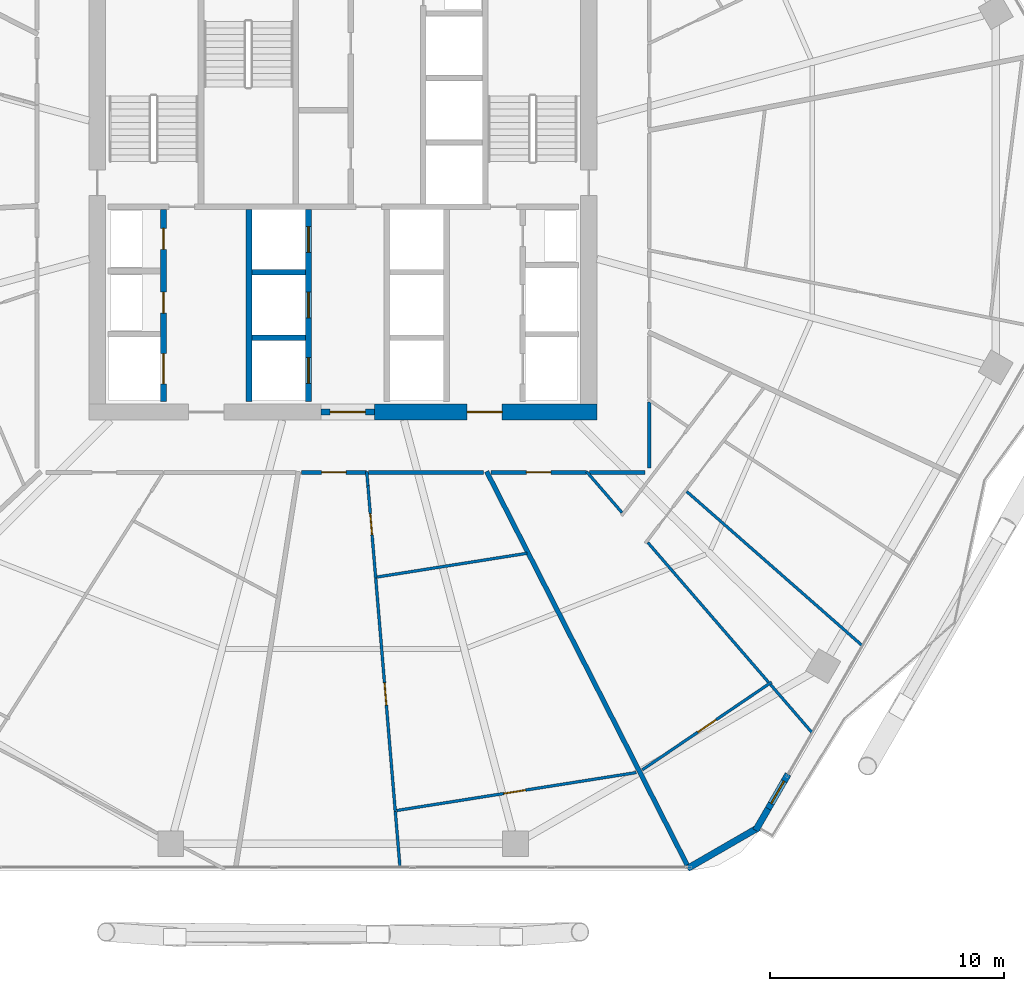
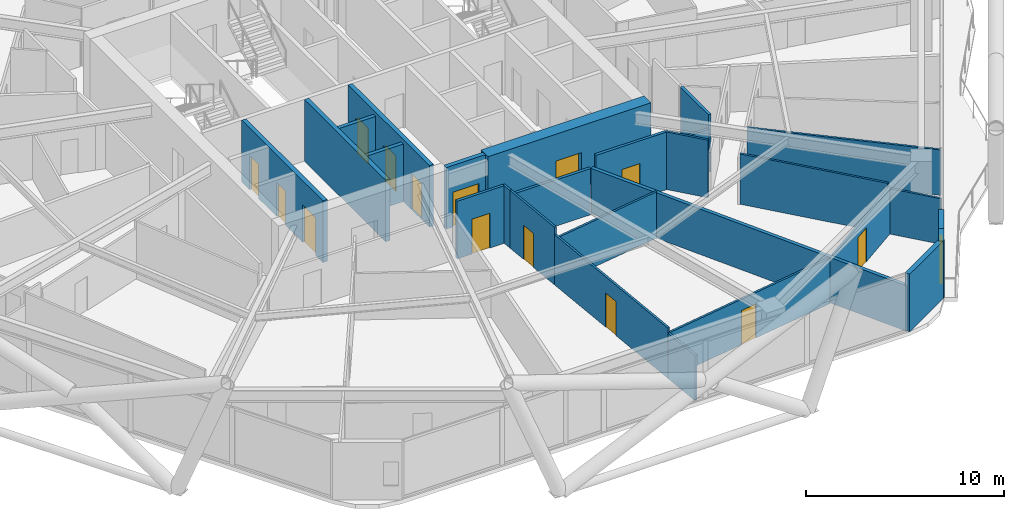
# One storey, part 28 of 34: 27 walls, 15 doors, 15 openings.
"""IFC4 building model written with IfcOpenShell, lengths in metres."""

from ifc_helpers import new_model, si_unit, direction, frame, frame_2d, origin, place, context, subcontext, project, spatial, rectangle, extrude, material, layer, layer_set, type_object, element, fill, save


model = new_model("IFC4")

# Units and contexts
model_context = context("Model", 3, precision=1e-05, world=origin(), true_north=direction((0.0, 1.0)))
body_context = subcontext(model_context, "Body", "Model", "MODEL_VIEW")
ifc_project = project(units=[si_unit("LENGTHUNIT", "METRE"), si_unit("AREAUNIT", "SQUARE_METRE"), si_unit("VOLUMEUNIT", "CUBIC_METRE"), si_unit("PLANEANGLEUNIT", "RADIAN"), si_unit("MASSUNIT", "GRAM", prefix="KILO")], contexts=[model_context])

# Site, building, storey
site_placement = place(None, origin())
site = spatial("IfcSite", under=ifc_project, at=site_placement, CompositionType="ELEMENT")
building_placement = place(site_placement, origin())
building = spatial("IfcBuilding", under=site, at=building_placement, Name="Zuhravey Tower", CompositionType="ELEMENT")
storey_placement = place(building_placement, frame((0.0, 0.0, 130.39990234375)))
storey = spatial("IfcBuildingStorey", under=building, at=storey_placement, Name="L32", CompositionType="ELEMENT", Elevation=130.39990234375)

# Wall, opening, door
ifc_material_1 = material(Name="Concrete C60/75", Category="concrete")
ifc_layer_1 = layer(ifc_material_1, 0.699951171875)
ifc_layer_set_1 = layer_set([ifc_layer_1], Name="Concrete C60/75")
wall_type_1 = type_object("IfcWallType", Name="Core Shear Wall 700", PredefinedType="SHEAR", material=ifc_layer_set_1)
wall_1_placement = place(storey_placement, frame((37.35009765625, 22.5, 0.0), z_axis=(0.0, 0.0, 1.0), x_axis=(1.0, 0.0, 0.0)))
wall_1 = element("IfcWall", 1, at=wall_1_placement, inside=storey, type_object=wall_type_1, Name="L32 South-East Core Shear Wall CW70", PredefinedType="SHEAR", context=body_context, shape_type="SweptSolid", body=[
    extrude(rectangle(XDim=9.5, YDim=0.699951171875, at=frame_2d((4.75, 0.0))), origin(), (0.0, 0.0, 1.0), 3.800048828125),
])
opening_1_placement = place(wall_1_placement, frame((3.949951171875, 0.0, 0.0)))
opening_1 = element("IfcOpeningElement", 2, at=opening_1_placement, cuts=wall_1, Name="Opening FFD1", PredefinedType="OPENING", context=body_context, shape_type="SweptSolid", body=[
    extrude(rectangle(XDim=1.5, YDim=2.14990234375, at=frame_2d((0.75, 1.074951171875))), frame((0.0, 0.362060546875, 0.0), z_axis=(0.0, -1.0, 0.0), x_axis=(1.0, 0.0, 0.0)), (0.0, 0.0, 1.0), 0.723876953125),
])
ifc_material_2 = material(Name="Galvanised fire-rated steel leaf", Category="steel")
door_type_1 = type_object("IfcDoorType", Name="Firefighting Lobby Double Door 1500x2150", OperationType="DOUBLE_DOOR_SINGLE_SWING", PredefinedType="DOOR", material=ifc_material_2)
door_1_placement = place(opening_1_placement, origin())
door_1 = element("IfcDoor", 3, at=door_1_placement, inside=storey, type_object=door_type_1, Name="L32 Firefighting Lobby East Door", OperationType="DOUBLE_DOOR_SINGLE_SWING", OverallHeight=2.14990234375, OverallWidth=1.5, PredefinedType="DOOR", context=body_context, shape_type="SweptSolid", body=[
    extrude(rectangle(XDim=1.5, YDim=2.14990234375, at=frame_2d((0.75, 1.074951171875))), frame((0.0, 0.02490234375, 0.0), z_axis=(0.0, -1.0, 0.0), x_axis=(1.0, 0.0, 0.0)), (0.0, 0.0, 1.0), 0.050048828125),
])
fill(opening_1, door_1)

ifc_material_3 = material(Name="Gypsum fire-rated stud partition")
ifc_layer_2 = layer(ifc_material_3, 0.159912109375)
ifc_layer_set_2 = layer_set([ifc_layer_2], Name="Gypsum fire-rated stud partition")
wall_type_2 = type_object("IfcWallType", Name="Corridor Fire Partition 160", PredefinedType="PARTITIONING", material=ifc_layer_set_2)
wall_2_placement = place(storey_placement, frame((34.21484375, 19.919921875, 0.0), z_axis=(0.0, 0.0, 1.0), x_axis=(1.0, 0.0, 0.0)))
wall_2 = element("IfcWall", 4, at=wall_2_placement, inside=storey, type_object=wall_type_2, Name="L32 IW16 Partition 058", PredefinedType="PARTITIONING", context=body_context, shape_type="SweptSolid", body=[
    extrude(rectangle(XDim=2.779541015625, YDim=0.159912109375, at=frame_2d((1.3896484375, 0.0))), origin(), (0.0, 0.0, 1.0), 3.550048828125),
])
opening_2_placement = place(wall_2_placement, frame((0.86474609375, 0.0, 0.0)))
opening_2 = element("IfcOpeningElement", 5, at=opening_2_placement, cuts=wall_2, Name="Opening APD1", PredefinedType="OPENING", context=body_context, shape_type="SweptSolid", body=[
    extrude(rectangle(XDim=1.050048828125, YDim=2.14990234375, at=frame_2d((0.52490234375, 1.074951171875))), frame((0.0, 0.092041015625, 0.0), z_axis=(0.0, -1.0, 0.0), x_axis=(1.0, 0.0, 0.0)), (0.0, 0.0, 1.0), 0.183837890625),
])
ifc_material_4 = material(Name="Solid-core oak fire-rated leaf")
door_type_2 = type_object("IfcDoorType", Name="Apartment Entrance Fire Door 1050x2150", OperationType="NOTDEFINED", PredefinedType="DOOR", material=ifc_material_4)
door_2_placement = place(opening_2_placement, frame((1.050048828125, 0.0, 0.0), z_axis=(0.0, 0.0, 1.0), x_axis=(-1.0, 0.0, 0.0)))
door_2 = element("IfcDoor", 6, at=door_2_placement, inside=storey, type_object=door_type_2, Name="L32 Door 058.1", OperationType="SINGLE_SWING_LEFT", OverallHeight=2.14990234375, OverallWidth=1.050048828125, PredefinedType="DOOR", context=body_context, shape_type="SweptSolid", body=[
    extrude(rectangle(XDim=1.050048828125, YDim=2.14990234375, at=frame_2d((0.52490234375, 1.074951171875))), frame((0.0, 0.02490234375, 0.0), z_axis=(0.0, -1.0, 0.0), x_axis=(1.0, 0.0, 0.0)), (0.0, 0.0, 1.0), 0.050048828125),
])
fill(opening_2, door_2)

wall_3_placement = place(storey_placement, frame((42.31103515625, 19.919921875, 0.0), z_axis=(0.0, 0.0, 1.0), x_axis=(1.0, 0.0, 0.0)))
wall_3 = element("IfcWall", 7, at=wall_3_placement, inside=storey, type_object=wall_type_2, Name="L32 IW16 Partition 062", PredefinedType="PARTITIONING", context=body_context, shape_type="SweptSolid", body=[
    extrude(rectangle(XDim=4.09716796875, YDim=0.159912109375, at=frame_2d((2.048583984375, 0.0))), origin(), (0.0, 0.0, 1.0), 3.550048828125),
])
opening_3_placement = place(wall_3_placement, frame((1.5234375, 0.0, 0.0)))
opening_3 = element("IfcOpeningElement", 8, at=opening_3_placement, cuts=wall_3, Name="Opening APD1", PredefinedType="OPENING", context=body_context, shape_type="SweptSolid", body=[
    extrude(rectangle(XDim=1.050048828125, YDim=2.14990234375, at=frame_2d((0.52490234375, 1.074951171875))), frame((0.0, 0.092041015625, 0.0), z_axis=(0.0, -1.0, 0.0), x_axis=(1.0, 0.0, 0.0)), (0.0, 0.0, 1.0), 0.183837890625),
])
door_3_placement = place(opening_3_placement, frame((1.050048828125, 0.0, 0.0), z_axis=(0.0, 0.0, 1.0), x_axis=(-1.0, 0.0, 0.0)))
door_3 = element("IfcDoor", 9, at=door_3_placement, inside=storey, type_object=door_type_2, Name="L32 Door 062.1", OperationType="SINGLE_SWING_RIGHT", OverallHeight=2.14990234375, OverallWidth=1.050048828125, PredefinedType="DOOR", context=body_context, shape_type="SweptSolid", body=[
    extrude(rectangle(XDim=1.050048828125, YDim=2.14990234375, at=frame_2d((0.52490234375, 1.074951171875))), frame((0.0, 0.02490234375, 0.0), z_axis=(0.0, -1.0, 0.0), x_axis=(1.0, 0.0, 0.0)), (0.0, 0.0, 1.0), 0.050048828125),
])
fill(opening_3, door_3)

# Walls
wall_4_placement = place(storey_placement, frame((37.08251953125, 19.919921875, 0.0), z_axis=(0.0, 0.0, 1.0), x_axis=(1.0, 0.0, 0.0)))
element("IfcWall", 10, at=wall_4_placement, inside=storey, type_object=wall_type_2, Name="L32 IW16 Partition 139", PredefinedType="PARTITIONING", context=body_context, shape_type="SweptSolid", body=[
    extrude(rectangle(XDim=4.91796875, YDim=0.159912109375, at=frame_2d((2.458984375, 0.0))), origin(), (0.0, 0.0, 1.0), 2.85009765625),
])
wall_5_placement = place(storey_placement, frame((49.080078125, 20.10009765625, 0.0), z_axis=(0.0, 0.0, 1.0), x_axis=(0.0, 1.0, 0.0)))
element("IfcWall", 11, at=wall_5_placement, inside=storey, type_object=wall_type_2, Name="L32 IW16 Partition 140", PredefinedType="PARTITIONING", context=body_context, shape_type="SweptSolid", body=[
    extrude(rectangle(XDim=2.828369140625, YDim=0.159912109375, at=frame_2d((1.4140625, 0.0))), origin(), (0.0, 0.0, 1.0), 3.550048828125),
])
wall_6_placement = place(storey_placement, frame((46.5244140625, 19.919921875, 0.0), z_axis=(0.0, 0.0, 1.0), x_axis=(1.0, 0.0, 0.0)))
element("IfcWall", 12, at=wall_6_placement, inside=storey, type_object=wall_type_2, Name="L32 IW16 Partition 141", PredefinedType="PARTITIONING", context=body_context, shape_type="SweptSolid", body=[
    extrude(rectangle(XDim=2.37548828125, YDim=0.159912109375, at=frame_2d((1.187744140625, 0.0))), origin(), (0.0, 0.0, 1.0), 2.85009765625),
])

# Wall, opening, door
ifc_material_5 = material(Name="Precast concrete C40/50", Category="concrete")
ifc_layer_3 = layer(ifc_material_5, 0.280029296875)
ifc_layer_set_3 = layer_set([ifc_layer_3], Name="Precast concrete C40/50")
wall_type_3 = type_object("IfcWallType", Name="Crown Architectural Wall 280", PredefinedType="SOLIDWALL", material=ifc_layer_set_3)
wall_7_placement = place(storey_placement, frame((55.01708984375, 7.021484375, 0.0), z_axis=(0.0, 0.0, 1.0), x_axis=(-0.499982180423, -0.866035691677, 0.0)))
wall_7 = element("IfcWall", 13, at=wall_7_placement, inside=storey, type_object=wall_type_3, Name="L32 Face 6 Facade Pier EW28-1", PredefinedType="SOLIDWALL", context=body_context, shape_type="SweptSolid", body=[
    extrude(rectangle(XDim=1.7900390625, YDim=0.280029296875, at=frame_2d((0.89501953125, 0.0))), origin(), (0.0, 0.0, 1.0), 3.550048828125),
])
opening_4_placement = place(wall_7_placement, frame((0.344970703125, 0.0, 0.0)))
opening_4 = element("IfcOpeningElement", 14, at=opening_4_placement, cuts=wall_7, Name="Opening BLD1", PredefinedType="OPENING", context=body_context, shape_type="SweptSolid", body=[
    extrude(rectangle(XDim=1.10009765625, YDim=2.199951171875, at=frame_2d((0.550048828125, 1.10009765625))), frame((0.0, 0.152099609375, 0.0), z_axis=(0.0, -1.0, 0.0), x_axis=(1.0, 0.0, 0.0)), (0.0, 0.0, 1.0), 0.303955078125),
])
ifc_material_6 = material(Name="Thermally broken aluminium and low-E glass", Category="aluminium")
door_type_3 = type_object("IfcDoorType", Name="Balcony & Sky-Tray Glazed Door 1100x2200", OperationType="NOTDEFINED", PredefinedType="DOOR", material=ifc_material_6)
door_4_placement = place(opening_4_placement, frame((1.10009765625, 0.0, 0.0), z_axis=(0.0, 0.0, 1.0), x_axis=(-1.0, 0.0, 0.0)))
door_4 = element("IfcDoor", 15, at=door_4_placement, inside=storey, type_object=door_type_3, Name="L32 Face 6 Wave Balcony Door", OperationType="SINGLE_SWING_LEFT", OverallHeight=2.199951171875, OverallWidth=1.10009765625, PredefinedType="DOOR", context=body_context, shape_type="SweptSolid", body=[
    extrude(rectangle(XDim=1.10009765625, YDim=2.199951171875, at=frame_2d((0.550048828125, 1.10009765625))), frame((0.0, 0.02490234375, 0.0), z_axis=(0.0, -1.0, 0.0), x_axis=(1.0, 0.0, 0.0)), (0.0, 0.0, 1.0), 0.050048828125),
])
fill(opening_4, door_4)

# Walls
wall_8_placement = place(storey_placement, frame((54.1669921875, 5.54931640625, 0.0), z_axis=(0.0, 0.0, 1.0), x_axis=(-0.499840838589, -0.866117276169, 0.0)))
element("IfcWall", 16, at=wall_8_placement, inside=storey, type_object=wall_type_3, Name="L32 Face 6 Closure Pier EW28", PredefinedType="SOLIDWALL", context=body_context, shape_type="SweptSolid", body=[
    extrude(rectangle(XDim=1.071044921875, YDim=0.280029296875, at=frame_2d((0.53564453125, 0.0))), origin(), (0.0, 0.0, 1.0), 3.550048828125),
])
wall_9_placement = place(storey_placement, frame((53.76123046875, 4.75146484375, 0.0), z_axis=(0.0, 0.0, 1.0), x_axis=(-0.866007452331, -0.500031091541, 0.0)))
element("IfcWall", 17, at=wall_9_placement, inside=storey, type_object=wall_type_3, Name="L32 Rounded Corner Closure Wall EW28-02", PredefinedType="SOLIDWALL", context=body_context, shape_type="SweptSolid", body=[
    extrude(rectangle(XDim=3.514892578125, YDim=0.280029296875, at=frame_2d((1.75732421875, 0.0))), origin(), (0.0, 0.0, 1.0), 3.550048828125),
])

# Wall, opening, door
ifc_material_7 = material(Name="Concrete C50/60", Category="concrete")
ifc_layer_4 = layer(ifc_material_7, 0.25)
ifc_layer_set_4 = layer_set([ifc_layer_4], Name="Concrete C50/60")
wall_type_4 = type_object("IfcWallType", Name="Firefighting Shaft & Stair Wall 250", PredefinedType="SOLIDWALL", material=ifc_layer_set_4)
wall_10_placement = place(storey_placement, frame((35.06005859375, 22.5, 0.0), z_axis=(0.0, 0.0, 1.0), x_axis=(1.0, 0.0, 0.0)))
wall_10 = element("IfcWall", 18, at=wall_10_placement, inside=storey, type_object=wall_type_4, Name="L32 FW25 Shaft Wall 001", PredefinedType="SOLIDWALL", context=body_context, shape_type="SweptSolid", body=[
    extrude(rectangle(XDim=2.280029296875, YDim=0.25, at=frame_2d((1.14013671875, 0.0))), origin(), (0.0, 0.0, 1.0), 3.800048828125),
])
opening_5_placement = place(wall_10_placement, frame((0.389892578125, 0.0, 0.0)))
opening_5 = element("IfcOpeningElement", 19, at=opening_5_placement, cuts=wall_10, Name="Opening FFD1", PredefinedType="OPENING", context=body_context, shape_type="SweptSolid", body=[
    extrude(rectangle(XDim=1.5, YDim=2.14990234375, at=frame_2d((0.75, 1.074951171875))), frame((0.0, 0.136962890625, 0.0), z_axis=(0.0, -1.0, 0.0), x_axis=(1.0, 0.0, 0.0)), (0.0, 0.0, 1.0), 0.27392578125),
])
door_5_placement = place(opening_5_placement, frame((1.5, 0.0, 0.0), z_axis=(0.0, 0.0, 1.0), x_axis=(-1.0, 0.0, 0.0)))
door_5 = element("IfcDoor", 20, at=door_5_placement, inside=storey, type_object=door_type_1, Name="L32 South Lift Lobby Exit Door", OperationType="DOUBLE_DOOR_SINGLE_SWING", OverallHeight=2.14990234375, OverallWidth=1.5, PredefinedType="DOOR", context=body_context, shape_type="SweptSolid", body=[
    extrude(rectangle(XDim=1.5, YDim=2.14990234375, at=frame_2d((0.75, 1.074951171875))), frame((0.0, 0.02490234375, 0.0), z_axis=(0.0, -1.0, 0.0), x_axis=(1.0, 0.0, 0.0)), (0.0, 0.0, 1.0), 0.050048828125),
])
fill(opening_5, door_5)

# Wall, openings, doors
wall_11_placement = place(storey_placement, frame((28.324951171875, 22.949951171875, 0.0), z_axis=(0.0, 0.0, 1.0), x_axis=(0.0, 1.0, 0.0)))
wall_11 = element("IfcWall", 21, at=wall_11_placement, inside=storey, type_object=wall_type_4, Name="L32 FW25 Shaft Wall 011", PredefinedType="SOLIDWALL", context=body_context, shape_type="SweptSolid", body=[
    extrude(rectangle(XDim=8.199951171875, YDim=0.25, at=frame_2d((4.10009765625, 0.0))), origin(), (0.0, 0.0, 1.0), 3.800048828125),
])
opening_6_placement = place(wall_11_placement, frame((0.75, 0.0, 0.0)))
opening_6 = element("IfcOpeningElement", 22, at=opening_6_placement, cuts=wall_11, Name="Opening LD2", PredefinedType="OPENING", context=body_context, shape_type="SweptSolid", body=[
    extrude(rectangle(XDim=1.300048828125, YDim=2.300048828125, at=frame_2d((0.64990234375, 1.14990234375))), frame((0.0, 0.136962890625, 0.0), z_axis=(0.0, -1.0, 0.0), x_axis=(1.0, 0.0, 0.0)), (0.0, 0.0, 1.0), 0.27392578125),
])
opening_7_placement = place(wall_11_placement, frame((3.780029296875, 0.0, 0.0)))
opening_7 = element("IfcOpeningElement", 23, at=opening_7_placement, cuts=wall_11, Name="Opening RSD1", PredefinedType="OPENING", context=body_context, shape_type="SweptSolid", body=[
    extrude(rectangle(XDim=0.89990234375, YDim=2.10009765625, at=frame_2d((0.449951171875, 1.050048828125))), frame((0.0, 0.136962890625, 0.0), z_axis=(0.0, -1.0, 0.0), x_axis=(1.0, 0.0, 0.0)), (0.0, 0.0, 1.0), 0.27392578125),
])
opening_8_placement = place(wall_11_placement, frame((6.5, 0.0, 0.0)))
opening_8 = element("IfcOpeningElement", 24, at=opening_8_placement, cuts=wall_11, Name="Opening RSD1", PredefinedType="OPENING", context=body_context, shape_type="SweptSolid", body=[
    extrude(rectangle(XDim=0.89990234375, YDim=2.10009765625, at=frame_2d((0.449951171875, 1.050048828125))), frame((0.0, 0.136962890625, 0.0), z_axis=(0.0, -1.0, 0.0), x_axis=(1.0, 0.0, 0.0)), (0.0, 0.0, 1.0), 0.27392578125),
])
ifc_material_8 = material(Name="Brushed stainless steel", Category="steel")
door_type_4 = type_object("IfcDoorType", Name="Freight & Stretcher Lift Sliding Door 1300x2300", OperationType="DOUBLE_DOOR_SLIDING", PredefinedType="DOOR", material=ifc_material_8)
door_6_placement = place(opening_6_placement, frame((1.300048828125, 0.0, 0.0), z_axis=(0.0, 0.0, 1.0), x_axis=(-1.0, 0.0, 0.0)))
door_6 = element("IfcDoor", 25, at=door_6_placement, inside=storey, type_object=door_type_4, Name="L32 Lift FF1 Landing Door", OperationType="DOUBLE_DOOR_SLIDING", OverallHeight=2.300048828125, OverallWidth=1.300048828125, PredefinedType="DOOR", context=body_context, shape_type="SweptSolid", body=[
    extrude(rectangle(XDim=1.300048828125, YDim=2.300048828125, at=frame_2d((0.64990234375, 1.14990234375))), frame((0.0, 0.02490234375, 0.0), z_axis=(0.0, -1.0, 0.0), x_axis=(1.0, 0.0, 0.0)), (0.0, 0.0, 1.0), 0.050048828125),
])
fill(opening_6, door_6)
ifc_material_9 = material(Name="Galvanised fire-rated steel access leaf", Category="steel")
door_type_5 = type_object("IfcDoorType", Name="Riser & Shaft Access Fire Door 900x2100", OperationType="NOTDEFINED", PredefinedType="DOOR", material=ifc_material_9)
door_7_placement = place(opening_7_placement, frame((0.89990234375, 0.0, 0.0), z_axis=(0.0, 0.0, 1.0), x_axis=(-1.0, 0.0, 0.0)))
door_7 = element("IfcDoor", 26, at=door_7_placement, inside=storey, type_object=door_type_5, Name="L32 Electrical Riser Door", OperationType="SINGLE_SWING_LEFT", OverallHeight=2.10009765625, OverallWidth=0.89990234375, PredefinedType="DOOR", context=body_context, shape_type="SweptSolid", body=[
    extrude(rectangle(XDim=0.89990234375, YDim=2.10009765625, at=frame_2d((0.449951171875, 1.050048828125))), frame((0.0, 0.02490234375, 0.0), z_axis=(0.0, -1.0, 0.0), x_axis=(1.0, 0.0, 0.0)), (0.0, 0.0, 1.0), 0.050048828125),
])
fill(opening_7, door_7)
door_8_placement = place(opening_8_placement, frame((0.89990234375, 0.0, 0.0), z_axis=(0.0, 0.0, 1.0), x_axis=(-1.0, 0.0, 0.0)))
door_8 = element("IfcDoor", 27, at=door_8_placement, inside=storey, type_object=door_type_5, Name="L32 Smoke Shaft Access Door", OperationType="SINGLE_SWING_RIGHT", OverallHeight=2.10009765625, OverallWidth=0.89990234375, PredefinedType="DOOR", context=body_context, shape_type="SweptSolid", body=[
    extrude(rectangle(XDim=0.89990234375, YDim=2.10009765625, at=frame_2d((0.449951171875, 1.050048828125))), frame((0.0, 0.02490234375, 0.0), z_axis=(0.0, -1.0, 0.0), x_axis=(1.0, 0.0, 0.0)), (0.0, 0.0, 1.0), 0.050048828125),
])
fill(opening_8, door_8)

# Wall
wall_12_placement = place(storey_placement, frame((31.97509765625, 22.949951171875, 0.0), z_axis=(0.0, 0.0, 1.0), x_axis=(0.0, 1.0, 0.0)))
element("IfcWall", 28, at=wall_12_placement, inside=storey, type_object=wall_type_4, Name="L32 FW25 Shaft Wall 012", PredefinedType="SOLIDWALL", context=body_context, shape_type="SweptSolid", body=[
    extrude(rectangle(XDim=8.199951171875, YDim=0.25, at=frame_2d((4.10009765625, 0.0))), origin(), (0.0, 0.0, 1.0), 3.800048828125),
])

# Wall, openings, doors
wall_13_placement = place(storey_placement, frame((34.52490234375, 22.949951171875, 0.0), z_axis=(0.0, 0.0, 1.0), x_axis=(0.0, 1.0, 0.0)))
wall_13 = element("IfcWall", 29, at=wall_13_placement, inside=storey, type_object=wall_type_4, Name="L32 FW25 Shaft Wall 013", PredefinedType="SOLIDWALL", context=body_context, shape_type="SweptSolid", body=[
    extrude(rectangle(XDim=8.199951171875, YDim=0.25, at=frame_2d((4.10009765625, 0.0))), origin(), (0.0, 0.0, 1.0), 3.800048828125),
])
opening_9_placement = place(wall_13_placement, frame((0.77490234375, 0.0, 0.0)))
opening_9 = element("IfcOpeningElement", 30, at=opening_9_placement, cuts=wall_13, Name="Opening LD1", PredefinedType="OPENING", context=body_context, shape_type="SweptSolid", body=[
    extrude(rectangle(XDim=1.10009765625, YDim=2.199951171875, at=frame_2d((0.550048828125, 1.10009765625))), frame((0.0, 0.136962890625, 0.0), z_axis=(0.0, -1.0, 0.0), x_axis=(1.0, 0.0, 0.0)), (0.0, 0.0, 1.0), 0.27392578125),
])
opening_10_placement = place(wall_13_placement, frame((3.574951171875, 0.0, 0.0)))
opening_10 = element("IfcOpeningElement", 31, at=opening_10_placement, cuts=wall_13, Name="Opening LD1", PredefinedType="OPENING", context=body_context, shape_type="SweptSolid", body=[
    extrude(rectangle(XDim=1.10009765625, YDim=2.199951171875, at=frame_2d((0.550048828125, 1.10009765625))), frame((0.0, 0.136962890625, 0.0), z_axis=(0.0, -1.0, 0.0), x_axis=(1.0, 0.0, 0.0)), (0.0, 0.0, 1.0), 0.27392578125),
])
opening_11_placement = place(wall_13_placement, frame((6.375, 0.0, 0.0)))
opening_11 = element("IfcOpeningElement", 32, at=opening_11_placement, cuts=wall_13, Name="Opening LD1", PredefinedType="OPENING", context=body_context, shape_type="SweptSolid", body=[
    extrude(rectangle(XDim=1.10009765625, YDim=2.199951171875, at=frame_2d((0.550048828125, 1.10009765625))), frame((0.0, 0.136962890625, 0.0), z_axis=(0.0, -1.0, 0.0), x_axis=(1.0, 0.0, 0.0)), (0.0, 0.0, 1.0), 0.27392578125),
])
door_type_6 = type_object("IfcDoorType", Name="Lift Landing Sliding Door 1100x2200", OperationType="DOUBLE_DOOR_SLIDING", PredefinedType="DOOR", material=ifc_material_8)
door_9_placement = place(opening_9_placement, frame((1.10009765625, 0.0, 0.0), z_axis=(0.0, 0.0, 1.0), x_axis=(-1.0, 0.0, 0.0)))
door_9 = element("IfcDoor", 33, at=door_9_placement, inside=storey, type_object=door_type_6, Name="L32 Lift PL1 Landing Door", OperationType="DOUBLE_DOOR_SLIDING", OverallHeight=2.199951171875, OverallWidth=1.10009765625, PredefinedType="DOOR", context=body_context, shape_type="SweptSolid", body=[
    extrude(rectangle(XDim=1.10009765625, YDim=2.199951171875, at=frame_2d((0.550048828125, 1.10009765625))), frame((0.0, 0.02490234375, 0.0), z_axis=(0.0, -1.0, 0.0), x_axis=(1.0, 0.0, 0.0)), (0.0, 0.0, 1.0), 0.050048828125),
])
fill(opening_9, door_9)
door_10_placement = place(opening_10_placement, frame((1.10009765625, 0.0, 0.0), z_axis=(0.0, 0.0, 1.0), x_axis=(-1.0, 0.0, 0.0)))
door_10 = element("IfcDoor", 34, at=door_10_placement, inside=storey, type_object=door_type_6, Name="L32 Lift PL2 Landing Door", OperationType="DOUBLE_DOOR_SLIDING", OverallHeight=2.199951171875, OverallWidth=1.10009765625, PredefinedType="DOOR", context=body_context, shape_type="SweptSolid", body=[
    extrude(rectangle(XDim=1.10009765625, YDim=2.199951171875, at=frame_2d((0.550048828125, 1.10009765625))), frame((0.0, 0.02490234375, 0.0), z_axis=(0.0, -1.0, 0.0), x_axis=(1.0, 0.0, 0.0)), (0.0, 0.0, 1.0), 0.050048828125),
])
fill(opening_10, door_10)
door_11_placement = place(opening_11_placement, frame((1.10009765625, 0.0, 0.0), z_axis=(0.0, 0.0, 1.0), x_axis=(-1.0, 0.0, 0.0)))
door_11 = element("IfcDoor", 35, at=door_11_placement, inside=storey, type_object=door_type_6, Name="L32 Lift PL3 Landing Door", OperationType="DOUBLE_DOOR_SLIDING", OverallHeight=2.199951171875, OverallWidth=1.10009765625, PredefinedType="DOOR", context=body_context, shape_type="SweptSolid", body=[
    extrude(rectangle(XDim=1.10009765625, YDim=2.199951171875, at=frame_2d((0.550048828125, 1.10009765625))), frame((0.0, 0.02490234375, 0.0), z_axis=(0.0, -1.0, 0.0), x_axis=(1.0, 0.0, 0.0)), (0.0, 0.0, 1.0), 0.050048828125),
])
fill(opening_11, door_11)

# Walls
ifc_material_10 = material(Name="Gypsum double-stud party assembly")
ifc_layer_5 = layer(ifc_material_10, 0.199951171875)
ifc_layer_set_5 = layer_set([ifc_layer_5], Name="Gypsum double-stud party assembly")
wall_type_5 = type_object("IfcWallType", Name="Inter-Tenancy Party Wall 200", PredefinedType="PARTITIONING", material=ifc_layer_set_5)
wall_14_placement = place(storey_placement, frame((42.134765625, 19.9599609375, 0.0), z_axis=(0.0, 0.0, 1.0), x_axis=(0.453989534113, -0.891007016199, 0.0)))
element("IfcWall", 36, at=wall_14_placement, inside=storey, type_object=wall_type_5, Name="L32 IW20 Partition 117", PredefinedType="PARTITIONING", context=body_context, shape_type="SweptSolid", body=[
    extrude(rectangle(XDim=18.988037109375, YDim=0.199951171875, at=frame_2d((9.494140625, 0.0))), origin(), (0.0, 0.0, 1.0), 2.800048828125),
])
ifc_material_11 = material(Name="Gypsum acoustic stud assembly")
ifc_layer_6 = layer(ifc_material_11, 0.219970703125)
ifc_layer_set_6 = layer_set([ifc_layer_6], Name="Gypsum acoustic stud assembly")
wall_type_6 = type_object("IfcWallType", Name="School Acoustic Compartment Wall 220", PredefinedType="PARTITIONING", material=ifc_layer_set_6)
for number, where, z_axis, x_axis, name in (
    (37, (32.10791015625, 25.675048828125, 0.0), (0.0, 0.0, 1.0), (1.0, 0.0, 0.0), "L32 IW22 Partition 071"),
    (38, (32.10791015625, 28.47509765625, 0.0), (0.0, 0.0, 1.0), (1.0, 0.0, 0.0), "L32 IW22 Partition 072"),
):
    element("IfcWall", number, at=place(storey_placement, frame(where, z_axis=z_axis, x_axis=x_axis)), inside=storey, type_object=wall_type_6, Name=name, PredefinedType="PARTITIONING", context=body_context, shape_type="SweptSolid", body=[
        extrude(rectangle(XDim=2.2841796875, YDim=0.219970703125, at=frame_2d((1.14208984375, 0.0))), origin(), (0.0, 0.0, 1.0), 3.550048828125),
    ])

# Wall, opening, door
ifc_material_12 = material(Name="Gypsum metal-stud partition")
ifc_layer_7 = layer(ifc_material_12, 0.1201171875)
ifc_layer_set_7 = layer_set([ifc_layer_7], Name="Gypsum metal-stud partition")
wall_type_7 = type_object("IfcWallType", Name="Unit Internal Partition 120", PredefinedType="PARTITIONING", material=ifc_layer_set_7)
wall_15_placement = place(storey_placement, frame((37.062255859375, 19.35009765625, 0.0), z_axis=(0.0, 0.0, 1.0), x_axis=(0.083695140781, -0.996491406591, 0.0)))
wall_15 = element("IfcWall", 39, at=wall_15_placement, inside=storey, type_object=wall_type_7, Name="L32 IW12 Partition 055", PredefinedType="PARTITIONING", context=body_context, shape_type="SweptSolid", body=[
    extrude(rectangle(XDim=3.94970703125, YDim=0.1201171875, at=frame_2d((1.974853515625, 0.0))), origin(), (0.0, 0.0, 1.0), 3.550048828125),
])
opening_12_placement = place(wall_15_placement, frame((1.208984375, 0.0, 0.0)))
opening_12 = element("IfcOpeningElement", 40, at=opening_12_placement, cuts=wall_15, Name="Opening WCD1", PredefinedType="OPENING", context=body_context, shape_type="SweptSolid", body=[
    extrude(rectangle(XDim=0.89990234375, YDim=2.10009765625, at=frame_2d((0.449951171875, 1.050048828125))), frame((0.0, 0.072021484375, 0.0), z_axis=(0.0, -1.0, 0.0), x_axis=(1.0, 0.0, 0.0)), (0.0, 0.0, 1.0), 0.14404296875),
])
ifc_material_13 = material(Name="Moisture-resistant timber leaf", Category="wood")
door_type_7 = type_object("IfcDoorType", Name="Bathroom & WC Internal Door 900x2100", OperationType="NOTDEFINED", PredefinedType="DOOR", material=ifc_material_13)
door_12_placement = place(opening_12_placement, origin())
door_12 = element("IfcDoor", 41, at=door_12_placement, inside=storey, type_object=door_type_7, Name="Apartment L32-08 Bathroom Door", OperationType="SINGLE_SWING_RIGHT", OverallHeight=2.10009765625, OverallWidth=0.89990234375, PredefinedType="DOOR", context=body_context, shape_type="SweptSolid", body=[
    extrude(rectangle(XDim=0.89990234375, YDim=2.10009765625, at=frame_2d((0.449951171875, 1.050048828125))), frame((0.0, 0.02490234375, 0.0), z_axis=(0.0, -1.0, 0.0), x_axis=(1.0, 0.0, 0.0)), (0.0, 0.0, 1.0), 0.050048828125),
])
fill(opening_12, door_12)

wall_16_placement = place(storey_placement, frame((37.392822265625, 15.414306640625, 0.0), z_axis=(0.0, 0.0, 1.0), x_axis=(0.083660945701, -0.996494278039, 0.0)))
wall_16 = element("IfcWall", 42, at=wall_16_placement, inside=storey, type_object=wall_type_7, Name="L32 IW12 Partition 056", PredefinedType="PARTITIONING", context=body_context, shape_type="SweptSolid", body=[
    extrude(rectangle(XDim=10.012451171875, YDim=0.1201171875, at=frame_2d((5.00634765625, 0.0))), origin(), (0.0, 0.0, 1.0), 3.10009765625),
])
opening_13_placement = place(wall_16_placement, frame((4.506103515625, 0.0, 0.0)))
opening_13 = element("IfcOpeningElement", 43, at=opening_13_placement, cuts=wall_16, Name="Opening IND1", PredefinedType="OPENING", context=body_context, shape_type="SweptSolid", body=[
    extrude(rectangle(XDim=0.949951171875, YDim=2.10009765625, at=frame_2d((0.47509765625, 1.050048828125))), frame((0.0, 0.072021484375, 0.0), z_axis=(0.0, -1.0, 0.0), x_axis=(1.0, 0.0, 0.0)), (0.0, 0.0, 1.0), 0.14404296875),
])
ifc_material_14 = material(Name="Painted engineered timber leaf", Category="wood")
door_type_8 = type_object("IfcDoorType", Name="Internal Room & Bedroom Door 950x2100", OperationType="NOTDEFINED", PredefinedType="DOOR", material=ifc_material_14)
door_13_placement = place(opening_13_placement, origin())
door_13 = element("IfcDoor", 44, at=door_13_placement, inside=storey, type_object=door_type_8, Name="Apartment L32-08 Home Office Door", OperationType="SINGLE_SWING_LEFT", OverallHeight=2.10009765625, OverallWidth=0.949951171875, PredefinedType="DOOR", context=body_context, shape_type="SweptSolid", body=[
    extrude(rectangle(XDim=0.949951171875, YDim=2.10009765625, at=frame_2d((0.47509765625, 1.050048828125))), frame((0.0, 0.02490234375, 0.0), z_axis=(0.0, -1.0, 0.0), x_axis=(1.0, 0.0, 0.0)), (0.0, 0.0, 1.0), 0.050048828125),
])
fill(opening_13, door_13)

wall_17_placement = place(storey_placement, frame((38.2958984375, 5.47265625, 0.0), z_axis=(0.0, 0.0, 1.0), x_axis=(0.987688342725, 0.156434451591, 0.0)))
wall_17 = element("IfcWall", 45, at=wall_17_placement, inside=storey, type_object=wall_type_7, Name="L32 IW12 Partition 057", PredefinedType="PARTITIONING", context=body_context, shape_type="SweptSolid", body=[
    extrude(rectangle(XDim=10.361328125, YDim=0.1201171875, at=frame_2d((5.1806640625, 0.0))), origin(), (0.0, 0.0, 1.0), 2.800048828125),
])
opening_14_placement = place(wall_17_placement, frame((4.62158203125, 0.0, 0.0)))
opening_14 = element("IfcOpeningElement", 46, at=opening_14_placement, cuts=wall_17, Name="Opening IND1", PredefinedType="OPENING", context=body_context, shape_type="SweptSolid", body=[
    extrude(rectangle(XDim=0.949951171875, YDim=2.10009765625, at=frame_2d((0.47509765625, 1.050048828125))), frame((0.0, 0.072021484375, 0.0), z_axis=(0.0, -1.0, 0.0), x_axis=(1.0, 0.0, 0.0)), (0.0, 0.0, 1.0), 0.14404296875),
])
door_14_placement = place(opening_14_placement, frame((0.949951171875, 0.0, 0.0), z_axis=(0.0, 0.0, 1.0), x_axis=(-1.0, 0.0, 0.0)))
door_14 = element("IfcDoor", 47, at=door_14_placement, inside=storey, type_object=door_type_8, Name="Apartment L32-08 Bedroom 1 Door", OperationType="SINGLE_SWING_RIGHT", OverallHeight=2.10009765625, OverallWidth=0.949951171875, PredefinedType="DOOR", context=body_context, shape_type="SweptSolid", body=[
    extrude(rectangle(XDim=0.949951171875, YDim=2.10009765625, at=frame_2d((0.47509765625, 1.050048828125))), frame((0.0, 0.02490234375, 0.0), z_axis=(0.0, -1.0, 0.0), x_axis=(1.0, 0.0, 0.0)), (0.0, 0.0, 1.0), 0.050048828125),
])
fill(opening_14, door_14)

wall_18_placement = place(storey_placement, frame((48.791015625, 7.21240234375, 0.0), z_axis=(0.0, 0.0, 1.0), x_axis=(0.82746544618, 0.561516638559, 0.0)))
wall_18 = element("IfcWall", 48, at=wall_18_placement, inside=storey, type_object=wall_type_7, Name="L32 IW12 Partition 059", PredefinedType="PARTITIONING", context=body_context, shape_type="SweptSolid", body=[
    extrude(rectangle(XDim=6.66845703125, YDim=0.1201171875, at=frame_2d((3.334228515625, 0.0))), origin(), (0.0, 0.0, 1.0), 2.800048828125),
])
opening_15_placement = place(wall_18_placement, frame((2.859130859375, 0.0, 0.0)))
opening_15 = element("IfcOpeningElement", 49, at=opening_15_placement, cuts=wall_18, Name="Opening IND1", PredefinedType="OPENING", context=body_context, shape_type="SweptSolid", body=[
    extrude(rectangle(XDim=0.949951171875, YDim=2.10009765625, at=frame_2d((0.47509765625, 1.050048828125))), frame((0.0, 0.072021484375, 0.0), z_axis=(0.0, -1.0, 0.0), x_axis=(1.0, 0.0, 0.0)), (0.0, 0.0, 1.0), 0.14404296875),
])
door_15_placement = place(opening_15_placement, frame((0.949951171875, 0.0, 0.0), z_axis=(0.0, 0.0, 1.0), x_axis=(-1.0, 0.0, 0.0)))
door_15 = element("IfcDoor", 50, at=door_15_placement, inside=storey, type_object=door_type_8, Name="Apartment L32-09 Family Study Door", OperationType="SINGLE_SWING_RIGHT", OverallHeight=2.10009765625, OverallWidth=0.949951171875, PredefinedType="DOOR", context=body_context, shape_type="SweptSolid", body=[
    extrude(rectangle(XDim=0.949951171875, YDim=2.10009765625, at=frame_2d((0.47509765625, 1.050048828125))), frame((0.0, 0.02490234375, 0.0), z_axis=(0.0, -1.0, 0.0), x_axis=(1.0, 0.0, 0.0)), (0.0, 0.0, 1.0), 0.050048828125),
])
fill(opening_15, door_15)

# Walls
wall_19_placement = place(storey_placement, frame((37.010498046875, 19.96484375, 0.0), z_axis=(0.0, 0.0, 1.0), x_axis=(0.083896973799, -0.996474434086, 0.0)))
element("IfcWall", 51, at=wall_19_placement, inside=storey, type_object=wall_type_7, Name="L32 IW12 Partition 114", PredefinedType="PARTITIONING", context=body_context, shape_type="SweptSolid", body=[
    extrude(rectangle(XDim=0.616943359375, YDim=0.1201171875, at=frame_2d((0.30859375, 0.0))), origin(), (0.0, 0.0, 1.0), 3.550048828125),
])
wall_20_placement = place(storey_placement, frame((38.230712890625, 5.43701171875, 0.0), z_axis=(0.0, 0.0, 1.0), x_axis=(0.083615836345, -0.996498064179, 0.0)))
element("IfcWall", 52, at=wall_20_placement, inside=storey, type_object=wall_type_7, Name="L32 IW12 Partition 115", PredefinedType="PARTITIONING", context=body_context, shape_type="SweptSolid", body=[
    extrude(rectangle(XDim=2.408935546875, YDim=0.1201171875, at=frame_2d((1.20458984375, 0.0))), origin(), (0.0, 0.0, 1.0), 2.800048828125),
])
wall_21_placement = place(storey_placement, frame((37.4580078125, 15.44970703125, 0.0), z_axis=(0.0, 0.0, 1.0), x_axis=(0.987687698578, 0.156438518521, 0.0)))
element("IfcWall", 53, at=wall_21_placement, inside=storey, type_object=wall_type_7, Name="L32 IW12 Partition 116", PredefinedType="PARTITIONING", context=body_context, shape_type="SweptSolid", body=[
    extrude(rectangle(XDim=6.479736328125, YDim=0.1201171875, at=frame_2d((3.23974609375, 0.0))), origin(), (0.0, 0.0, 1.0), 2.85009765625),
])
wall_22_placement = place(storey_placement, frame((50.687255859375, 19.102783203125, 0.0), z_axis=(0.0, 0.0, 1.0), x_axis=(0.75142693105, -0.659816313297, 0.0)))
element("IfcWall", 54, at=wall_22_placement, inside=storey, type_object=wall_type_7, Name="L32 IW12 Partition 119", PredefinedType="PARTITIONING", context=body_context, shape_type="SweptSolid", body=[
    extrude(rectangle(XDim=9.99365234375, YDim=0.1201171875, at=frame_2d((4.996826171875, 0.0))), origin(), (0.0, 0.0, 1.0), 2.800048828125),
])
wall_23_placement = place(storey_placement, frame((46.408203125, 19.95068359375, 0.0), z_axis=(0.0, 0.0, 1.0), x_axis=(0.653633631907, -0.756811122566, 0.0)))
element("IfcWall", 55, at=wall_23_placement, inside=storey, type_object=wall_type_7, Name="L32 IW12 Partition 121", PredefinedType="PARTITIONING", context=body_context, shape_type="SweptSolid", body=[
    extrude(rectangle(XDim=2.309326171875, YDim=0.1201171875, at=frame_2d((1.15478515625, 0.0))), origin(), (0.0, 0.0, 1.0), 3.550048828125),
])
wall_24_placement = place(storey_placement, frame((49.023681640625, 16.922607421875, 0.0), z_axis=(0.0, 0.0, 1.0), x_axis=(0.653686738758, -0.756765252619, 0.0)))
element("IfcWall", 56, at=wall_24_placement, inside=storey, type_object=wall_type_7, Name="L32 IW12 Partition 122", PredefinedType="PARTITIONING", context=body_context, shape_type="SweptSolid", body=[
    extrude(rectangle(XDim=7.889404296875, YDim=0.1201171875, at=frame_2d((3.94482421875, 0.0))), origin(), (0.0, 0.0, 1.0), 3.10009765625),
])
wall_25_placement = place(storey_placement, frame((54.2705078125, 10.848388671875, 0.0), z_axis=(0.0, 0.0, 1.0), x_axis=(0.653692329301, -0.756760423524, 0.0)))
element("IfcWall", 57, at=wall_25_placement, inside=storey, type_object=wall_type_7, Name="L32 IW12 Partition 123", PredefinedType="PARTITIONING", context=body_context, shape_type="SweptSolid", body=[
    extrude(rectangle(XDim=2.71923828125, YDim=0.1201171875, at=frame_2d((1.359619140625, 0.0))), origin(), (0.0, 0.0, 1.0), 2.800048828125),
])

save(model, "model.ifc")
